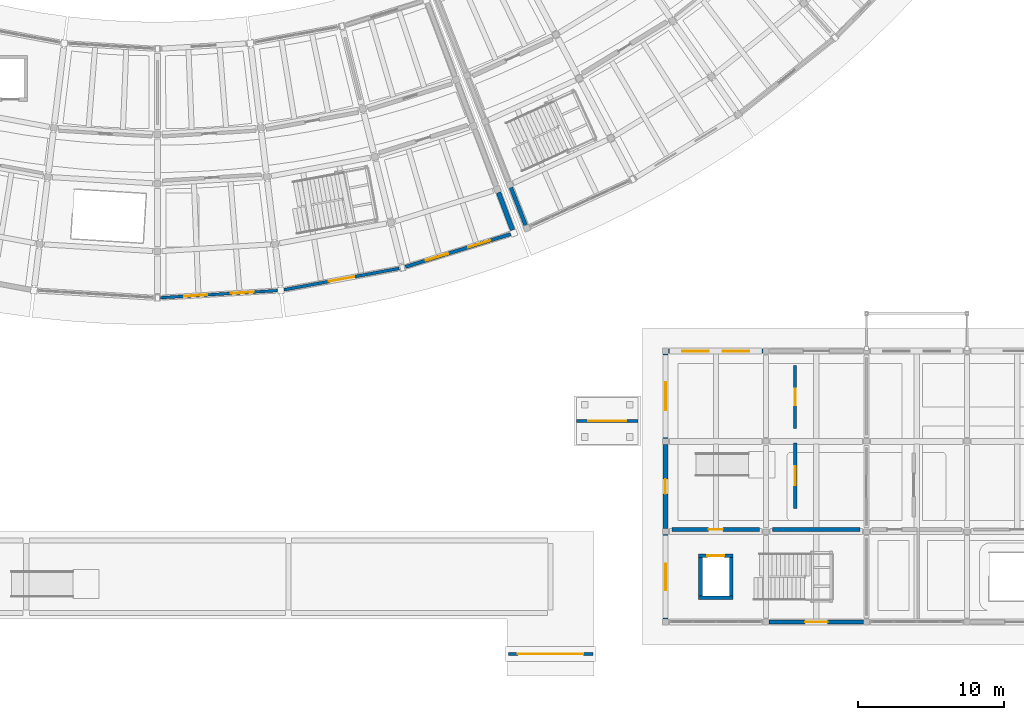
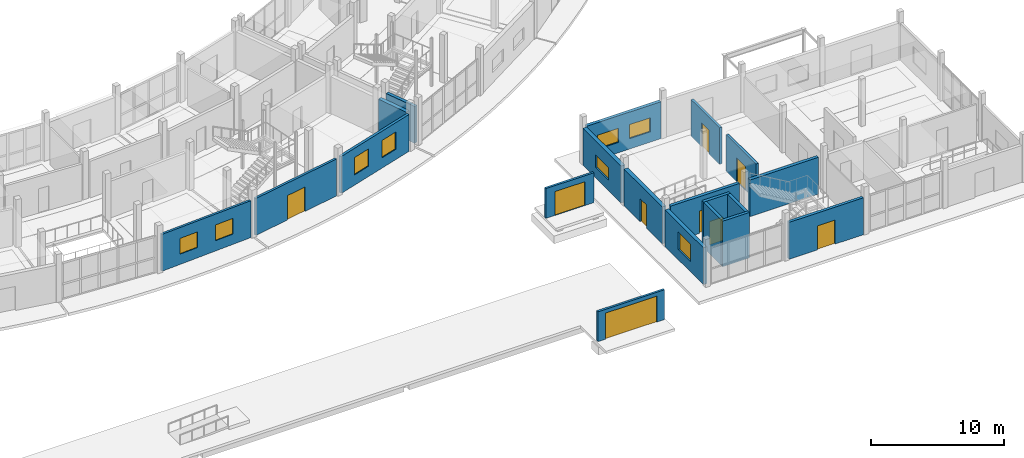
# One storey, part 68 of 92: 20 walls, 9 doors, 8 windows, 17 openings.
"""IFC4 building model written with IfcOpenShell, lengths in metres."""

import ifcopenshell
import ifcopenshell.guid

model = None  # the IFC model being written
_history = None  # IfcOwnerHistory: only IFC2X3 demands one
_inside = {}  # id of a spatial element -> (the spatial element, [elements in it])
_under = {}  # id of a project, library or spatial element -> (it, [spatial elements below it])
_declared = {}  # id of a project -> (the project, [libraries it declares])
_typed = {}  # id of a type object -> (the type object, [elements of that type])
_made_of = {}  # id of a material, layer set ... -> (it, [elements and type objects made of it])


def new_model(schema):
    """Start an empty IFC model of exactly this schema.

    Asked for "IFC4X3", IfcOpenShell would pick the latest addendum, in which some entities
    have other attributes; the version numbers below select the first issue.
    IFC2X3 requires an IfcOwnerHistory on every rooted entity: one is made here for all.
    """
    global model, _history
    if schema == "IFC4X3":
        model = ifcopenshell.file(schema_version=(4, 3, 0, 0))
    else:
        model = ifcopenshell.file(schema=schema)
    _inside.clear()
    _under.clear()
    _declared.clear()
    _typed.clear()
    _made_of.clear()
    _history = None
    if model.schema == "IFC2X3":
        org = make("IfcOrganization", Name="unknown")
        user = make(
            "IfcPersonAndOrganization",
            ThePerson=make("IfcPerson", FamilyName="unknown"),
            TheOrganization=org,
        )
        app = make(
            "IfcApplication",
            ApplicationDeveloper=org,
            Version="unknown",
            ApplicationFullName="unknown",
            ApplicationIdentifier="unknown",
        )
        _history = make(
            "IfcOwnerHistory",
            OwningUser=user,
            OwningApplication=app,
            ChangeAction="ADDED",
            CreationDate=0,
        )
    return model


def make(cls, **values):
    """One entity of the class cls with the attributes given. An attribute that is None is left unset."""
    return model.create_entity(
        cls, **{name: value for name, value in values.items() if value is not None}
    )


def rooted(cls, **values):
    """An entity with a GlobalId (a new one), such as an element, a storey or a relation."""
    return make(cls, GlobalId=ifcopenshell.guid.new(), OwnerHistory=_history, **values)


def si_unit(unit_type, name, prefix=None):
    """IfcSIUnit, for example si_unit("LENGTHUNIT", "METRE", prefix="MILLI")."""
    return make("IfcSIUnit", UnitType=unit_type, Prefix=prefix, Name=name)


def assignment(units):
    """IfcUnitAssignment: the units of a project."""
    return None if units is None else make("IfcUnitAssignment", Units=units)


def point(xyz):
    """IfcCartesianPoint."""
    return None if xyz is None else make("IfcCartesianPoint", Coordinates=xyz)


def direction(xyz):
    """IfcDirection."""
    return None if xyz is None else make("IfcDirection", DirectionRatios=xyz)


def frame(location, z_axis=None, x_axis=None):
    """IfcAxis2Placement3D, a coordinate frame: its origin and axes. An axis left out is left unset."""
    return make(
        "IfcAxis2Placement3D",
        Location=point(location),
        Axis=direction(z_axis),
        RefDirection=direction(x_axis),
    )


def frame_2d(location, x_axis=None):
    """IfcAxis2Placement2D, a coordinate frame in the plane: its origin and x axis."""
    return make(
        "IfcAxis2Placement2D", Location=point(location), RefDirection=direction(x_axis)
    )


def origin():
    """The frame at (0, 0, 0) with its axes left unset."""
    return frame((0.0, 0.0, 0.0))


def place(relative_to, where):
    """IfcLocalPlacement: puts the frame where relative to a parent placement (None: the world)."""
    return make(
        "IfcLocalPlacement", PlacementRelTo=relative_to, RelativePlacement=where
    )


def context(
    kind, dimensions, precision=None, world=None, true_north=None, identifier=None
):
    """IfcGeometricRepresentationContext, for example the 3D "Model" context."""
    return make(
        "IfcGeometricRepresentationContext",
        ContextIdentifier=identifier,
        ContextType=kind,
        CoordinateSpaceDimension=dimensions,
        Precision=precision,
        WorldCoordinateSystem=world,
        TrueNorth=true_north,
    )


def subcontext(parent, identifier, kind, view, scale=None):
    """IfcGeometricRepresentationSubContext, for example "Body" below "Model"."""
    return make(
        "IfcGeometricRepresentationSubContext",
        ContextIdentifier=identifier,
        ContextType=kind,
        ParentContext=parent,
        TargetScale=scale,
        TargetView=view,
    )


def project(units=None, contexts=None):
    """IfcProject with its units and contexts."""
    return rooted(
        "IfcProject",
        Name="project",
        RepresentationContexts=contexts,
        UnitsInContext=assignment(units),
    )


def spatial(cls, under=None, at=None, **own):
    """A site, building, storey or space (cls), placed at a placement, below another one or the project."""
    s = rooted(cls, ObjectPlacement=at, **own)
    if under is not None:
        _under.setdefault(under.id(), (under, []))[1].append(s)
    return s


def profile(cls, at=None, kind="AREA", **sizes):
    """A parametric profile (cls). Its sizes go by their IFC names, for example OverallWidth=200.0."""
    return make(cls, ProfileType=kind, Position=at, **sizes)


def rectangle(**sizes):
    """IfcRectangleProfileDef."""
    return profile("IfcRectangleProfileDef", **sizes)


def extrude(swept, where, along, depth):
    """IfcExtrudedAreaSolid: the profile swept, set in the frame where, extruded along a direction by depth."""
    return make(
        "IfcExtrudedAreaSolid",
        SweptArea=swept,
        Position=where,
        ExtrudedDirection=direction(along),
        Depth=depth,
    )


def shape(context_of_items, identifier, shape_type, items):
    """IfcShapeRepresentation: the items that make up one representation, for example the "Body"."""
    return make(
        "IfcShapeRepresentation",
        ContextOfItems=context_of_items,
        RepresentationIdentifier=identifier,
        RepresentationType=shape_type,
        Items=items,
    )


def material(Name=None, Category=None):
    """IfcMaterial."""
    return make("IfcMaterial", Name=Name, Category=Category)


def layer(
    of_material, thickness, ventilated=None, Name=None, Category=None, Priority=None
):
    """IfcMaterialLayer: one layer of a wall or slab, of a material (None: an air gap)."""
    return make(
        "IfcMaterialLayer",
        Material=of_material,
        LayerThickness=thickness,
        IsVentilated=ventilated,
        Name=Name,
        Category=Category,
        Priority=Priority,
    )


def layer_set(layers, Name=None):
    """IfcMaterialLayerSet."""
    return make("IfcMaterialLayerSet", MaterialLayers=layers, LayerSetName=Name)


def made_of(thing, what):
    """Note that an element or type object is made of a material, layer set ...; save() writes the relation."""
    if what is not None:
        _made_of.setdefault(what.id(), (what, []))[1].append(thing)
    return thing


def type_object(cls, material=None, **own):
    """A type object (cls), such as IfcWallType, which elements share."""
    return made_of(rooted(cls, **own), material)


def element(
    cls,
    number,
    at=None,
    inside=None,
    cuts=None,
    type_object=None,
    material=None,
    context=None,
    identifier="Body",
    shape_type=None,
    held_by="IfcProductDefinitionShape",
    body=None,
    shapes=None,
    **own,
):
    """One element of the class cls, such as IfcWall. Its Tag is "e" and its number.

    at: its placement. inside: the storey or other place that contains it. cuts: it is an
    opening in that element (IfcRelVoidsElement). A single representation is given by context,
    identifier, shape_type and body (its items); several are given by shapes. held_by: the class
    of the entity that holds the representations. save() writes the other relations.
    """
    e = rooted(cls, Tag="e%d" % number, ObjectPlacement=at, **own)
    if body is not None:
        shapes = [shape(context, identifier, shape_type, body)]
    if shapes is not None:
        e.Representation = make(held_by, Representations=shapes)
    if inside is not None:
        _inside.setdefault(inside.id(), (inside, []))[1].append(e)
    if cuts is not None:
        rooted(
            "IfcRelVoidsElement", RelatingBuildingElement=cuts, RelatedOpeningElement=e
        )
    if type_object is not None:
        _typed.setdefault(type_object.id(), (type_object, []))[1].append(e)
    return made_of(e, material)


def fill(opening, filler):
    """IfcRelFillsElement: the door or window that sits in an opening."""
    return rooted(
        "IfcRelFillsElement",
        RelatingOpeningElement=opening,
        RelatedBuildingElement=filler,
    )


def aggregate(whole, parts):
    """IfcRelAggregates: a whole, such as a stair, and the parts it consists of."""
    return rooted("IfcRelAggregates", RelatingObject=whole, RelatedObjects=parts)


def save(model, path):
    """Write the relations noted so far, then the file.

    IfcRelAggregates (storeys below a building ...), IfcRelContainedInSpatialStructure (elements
    in a storey), IfcRelDefinesByType, IfcRelAssociatesMaterial and IfcRelDeclares: one each for
    every whole, place, type object, material and project.
    """
    for whole, parts in _under.values():
        aggregate(whole, parts)
    for where, things in _inside.values():
        rooted(
            "IfcRelContainedInSpatialStructure",
            RelatedElements=things,
            RelatingStructure=where,
        )
    for kind, things in _typed.values():
        rooted("IfcRelDefinesByType", RelatedObjects=things, RelatingType=kind)
    for what, things in _made_of.values():
        rooted("IfcRelAssociatesMaterial", RelatedObjects=things, RelatingMaterial=what)
    for by, libraries in _declared.values():
        rooted("IfcRelDeclares", RelatingContext=by, RelatedDefinitions=libraries)
    model.write(path)


model = new_model("IFC4")

# Units and contexts
model_context = context("Model", 3, precision=1e-05, world=origin(), true_north=direction((0.0, 1.0)))
body_context = subcontext(model_context, "Body", "Model", "MODEL_VIEW")
ifc_project = project(units=[si_unit("LENGTHUNIT", "METRE"), si_unit("AREAUNIT", "SQUARE_METRE"), si_unit("VOLUMEUNIT", "CUBIC_METRE"), si_unit("PLANEANGLEUNIT", "RADIAN"), si_unit("MASSUNIT", "GRAM", prefix="KILO")], contexts=[model_context])

# Site, building, storey
site_placement = place(None, origin())
site = spatial("IfcSite", under=ifc_project, at=site_placement, CompositionType="ELEMENT")
building_placement = place(site_placement, origin())
building = spatial("IfcBuilding", under=site, at=building_placement, Name="Caldaven Crescent School", CompositionType="ELEMENT")
storey_placement = place(building_placement, origin())
storey = spatial("IfcBuildingStorey", under=building, at=storey_placement, Name="L00", CompositionType="ELEMENT", Elevation=0.0)

# Wall, opening, door
ifc_material_1 = material(Name="Concrete C35/45", Category="concrete")
ifc_layer_1 = layer(ifc_material_1, 0.300048828125)
ifc_layer_set_1 = layer_set([ifc_layer_1], Name="Concrete C35/45")
wall_type_1 = type_object("IfcWallType", Name="WAL-CW1", PredefinedType="SHEAR", material=ifc_layer_set_1)
wall_1_placement = place(storey_placement, frame((125.175048828125, 8.75, 0.0), z_axis=(0.0, 0.0, 1.0), x_axis=(1.0, 0.0, 0.0)))
wall_1 = element("IfcWall", 1, at=wall_1_placement, inside=storey, type_object=wall_type_1, Name="CW-LF3-L00-N", PredefinedType="SHEAR", context=body_context, shape_type="SweptSolid", body=[
    extrude(rectangle(XDim=2.349853515625, YDim=0.25, at=frame_2d((1.1748046875, 0.0))), origin(), (0.0, 0.0, 1.0), 4.199951171875),
])
opening_1_placement = place(wall_1_placement, frame((0.60009765625, 0.0, 0.0)))
opening_1 = element("IfcOpeningElement", 2, at=opening_1_placement, cuts=wall_1, Name="Opening LD-LF3-L00", PredefinedType="OPENING", context=body_context, shape_type="SweptSolid", body=[
    extrude(rectangle(XDim=1.14990234375, YDim=2.14990234375, at=frame_2d((0.574951171875, 1.074951171875))), frame((0.0, 0.135009765625, 0.0), z_axis=(0.0, -1.0, 0.0), x_axis=(1.0, 0.0, 0.0)), (0.0, 0.0, 1.0), 0.27001953125),
])
ifc_material_2 = material(Name="Brushed stainless-steel automatic telescopic landing door", Category="steel")
door_type_1 = type_object("IfcDoorType", Name="DOR-LD02", OperationType="DOUBLE_DOOR_SLIDING", PredefinedType="DOOR", material=ifc_material_2)
door_1_placement = place(opening_1_placement, origin())
door_1 = element("IfcDoor", 3, at=door_1_placement, inside=storey, type_object=door_type_1, Name="DOR-LD-LF3-L00", OperationType="DOUBLE_DOOR_SLIDING", OverallHeight=2.14990234375, OverallWidth=1.14990234375, PredefinedType="DOOR", context=body_context, shape_type="SweptSolid", body=[
    extrude(rectangle(XDim=1.14990234375, YDim=2.14990234375, at=frame_2d((0.574951171875, 1.074951171875))), frame((0.0, 0.02490234375, 0.0), z_axis=(0.0, -1.0, 0.0), x_axis=(1.0, 0.0, 0.0)), (0.0, 0.0, 1.0), 0.050048828125),
])
fill(opening_1, door_1)

# Walls
wall_2_placement = place(storey_placement, frame((125.175048828125, 5.85009765625, 0.0), z_axis=(0.0, 0.0, 1.0), x_axis=(1.0, 0.0, 0.0)))
element("IfcWall", 4, at=wall_2_placement, inside=storey, type_object=wall_type_1, Name="CW-LF3-L00-S", PredefinedType="SHEAR", context=body_context, shape_type="SweptSolid", body=[
    extrude(rectangle(XDim=2.349853515625, YDim=0.25, at=frame_2d((1.1748046875, 0.0))), origin(), (0.0, 0.0, 1.0), 4.199951171875),
])
ifc_layer_2 = layer(ifc_material_1, 0.25)
ifc_layer_set_2 = layer_set([ifc_layer_2], Name="Concrete C35/45")
wall_type_2 = type_object("IfcWallType", Name="WAL-CW2", PredefinedType="SHEAR", material=ifc_layer_set_2)
for number, where, z_axis, x_axis, name in (
    (5, (125.300048828125, 5.97509765625, 0.0), (0.0, 0.0, 1.0), (0.0, 1.0, 0.0), "CW-LF3-L00-W"),
    (6, (127.39990234375, 5.97509765625, 0.0), (0.0, 0.0, 1.0), (0.0, 1.0, 0.0), "CW-LF3-L00-E"),
):
    element("IfcWall", number, at=place(storey_placement, frame(where, z_axis=z_axis, x_axis=x_axis)), inside=storey, type_object=wall_type_2, Name=name, PredefinedType="SHEAR", context=body_context, shape_type="SweptSolid", body=[
        extrude(rectangle(XDim=2.64990234375, YDim=0.25, at=frame_2d((1.324951171875, 0.0))), origin(), (0.0, 0.0, 1.0), 4.199951171875),
    ])

# Wall, openings, windows
ifc_material_3 = material(Name="Precast concrete C35/45", Category="concrete")
ifc_layer_3 = layer(ifc_material_3, 0.19189453125)
ifc_layer_set_3 = layer_set([ifc_layer_3], Name="Precast concrete C35/45")
wall_type_3 = type_object("IfcWallType", Name="WAL-EW01", PredefinedType="STANDARD", material=ifc_layer_set_3)
wall_3_placement = place(storey_placement, frame((88.2275390625, 26.4638671875, 0.0), z_axis=(0.0, 0.0, 1.0), x_axis=(0.998133755509, 0.061065588622, 0.0)))
wall_3 = element("IfcWall", 7, at=wall_3_placement, inside=storey, type_object=wall_type_3, Name="EW-L00-098", PredefinedType="STANDARD", context=body_context, shape_type="SweptSolid", body=[
    extrude(rectangle(XDim=8.035888671875, YDim=0.19189453125, at=frame_2d((4.01806640625, 0.0))), origin(), (0.0, 0.0, 1.0), 3.39990234375),
])
opening_2_placement = place(wall_3_placement, frame((1.625244140625, 0.0, 0.949951171875)))
opening_2 = element("IfcOpeningElement", 8, at=opening_2_placement, cuts=wall_3, Name="Opening W19", PredefinedType="OPENING", context=body_context, shape_type="SweptSolid", body=[
    extrude(rectangle(XDim=1.580078125, YDim=1.449951171875, at=frame_2d((0.7900390625, 0.72509765625))), frame((0.0, 0.10595703125, 0.0), z_axis=(0.0, -1.0, 0.0), x_axis=(1.0, 0.0, 0.0)), (0.0, 0.0, 1.0), 0.2119140625),
])
opening_3_placement = place(wall_3_placement, frame((4.83056640625, 0.0, 0.949951171875)))
opening_3 = element("IfcOpeningElement", 9, at=opening_3_placement, cuts=wall_3, Name="Opening W19", PredefinedType="OPENING", context=body_context, shape_type="SweptSolid", body=[
    extrude(rectangle(XDim=1.580078125, YDim=1.449951171875, at=frame_2d((0.7900390625, 0.72509765625))), frame((0.0, 0.10595703125, 0.0), z_axis=(0.0, -1.0, 0.0), x_axis=(1.0, 0.0, 0.0)), (0.0, 0.0, 1.0), 0.2119140625),
])
ifc_material_4 = material(Name="Thermally broken anodised aluminium AA 6063-T6 and low-E double glazing", Category="aluminium")
window_type_1 = type_object("IfcWindowType", Name="WIN-W19", PartitioningType="SINGLE_PANEL", PredefinedType="WINDOW", material=ifc_material_4)
window_1_placement = place(opening_2_placement, origin())
window_1 = element("IfcWindow", 10, at=window_1_placement, inside=storey, type_object=window_type_1, Name="WIN-L00-066-1", OverallHeight=1.449951171875, OverallWidth=1.580078125, PartitioningType="SINGLE_PANEL", PredefinedType="WINDOW", context=body_context, shape_type="SweptSolid", body=[
    extrude(rectangle(XDim=1.580078125, YDim=1.449951171875, at=frame_2d((0.7900390625, 0.72509765625))), frame((0.0, 0.030029296875, 0.0), z_axis=(0.0, -1.0, 0.0), x_axis=(1.0, 0.0, 0.0)), (0.0, 0.0, 1.0), 0.06005859375),
])
fill(opening_2, window_1)
window_2_placement = place(opening_3_placement, origin())
window_2 = element("IfcWindow", 11, at=window_2_placement, inside=storey, type_object=window_type_1, Name="WIN-L00-066-2", OverallHeight=1.449951171875, OverallWidth=1.580078125, PartitioningType="SINGLE_PANEL", PredefinedType="WINDOW", context=body_context, shape_type="SweptSolid", body=[
    extrude(rectangle(XDim=1.580078125, YDim=1.449951171875, at=frame_2d((0.7900390625, 0.72509765625))), frame((0.0, 0.030029296875, 0.0), z_axis=(0.0, -1.0, 0.0), x_axis=(1.0, 0.0, 0.0)), (0.0, 0.0, 1.0), 0.06005859375),
])
fill(opening_3, window_2)

# Wall, opening, door
wall_4_placement = place(storey_placement, frame((112.10009765625, 2.0, 0.0), z_axis=(0.0, 0.0, 1.0), x_axis=(1.0, 0.0, 0.0)))
wall_4 = element("IfcWall", 12, at=wall_4_placement, inside=storey, type_object=wall_type_3, Name="WAL-GATE-VG2", PredefinedType="STANDARD", context=body_context, shape_type="SweptSolid", body=[
    extrude(rectangle(XDim=5.7998046875, YDim=0.19189453125, at=frame_2d((2.89990234375, 0.0))), origin(), (0.0, 0.0, 1.0), 2.75),
])
opening_4_placement = place(wall_4_placement, frame((0.64990234375, 0.0, 0.0)))
opening_4 = element("IfcOpeningElement", 13, at=opening_4_placement, cuts=wall_4, Name="Opening VG2", PredefinedType="OPENING", context=body_context, shape_type="SweptSolid", body=[
    extrude(rectangle(XDim=4.5, YDim=2.39990234375, at=frame_2d((2.25, 1.199951171875))), frame((0.0, 0.10595703125, 0.0), z_axis=(0.0, -1.0, 0.0), x_axis=(1.0, 0.0, 0.0)), (0.0, 0.0, 1.0), 0.2119140625),
])
ifc_material_5 = material(Name="Powder-coated galvanised tubular steel security gate", Category="steel")
door_type_2 = type_object("IfcDoorType", Name="DOR-GT01", OperationType="NOTDEFINED", PredefinedType="GATE", material=ifc_material_5)
door_2_placement = place(opening_4_placement, frame((4.5, 0.0, 0.0), z_axis=(0.0, 0.0, 1.0), x_axis=(-1.0, 0.0, 0.0)))
door_2 = element("IfcDoor", 14, at=door_2_placement, inside=storey, type_object=door_type_2, Name="GATE-VG2", OperationType="DOUBLE_DOOR_SINGLE_SWING", OverallHeight=2.39990234375, OverallWidth=4.5, PredefinedType="GATE", context=body_context, shape_type="SweptSolid", body=[
    extrude(rectangle(XDim=4.5, YDim=2.39990234375, at=frame_2d((2.25, 1.199951171875))), frame((0.0, 0.02490234375, 0.0), z_axis=(0.0, -1.0, 0.0), x_axis=(1.0, 0.0, 0.0)), (0.0, 0.0, 1.0), 0.050048828125),
])
fill(opening_4, door_2)

wall_5_placement = place(storey_placement, frame((116.800048828125, 18.0, 0.0), z_axis=(0.0, 0.0, 1.0), x_axis=(1.0, 0.0, 0.0)))
wall_5 = element("IfcWall", 15, at=wall_5_placement, inside=storey, type_object=wall_type_3, Name="WAL-GATE-CG4", PredefinedType="STANDARD", context=body_context, shape_type="SweptSolid", body=[
    extrude(rectangle(XDim=4.199951171875, YDim=0.19189453125, at=frame_2d((2.10009765625, 0.0))), origin(), (0.0, 0.0, 1.0), 2.75),
])
opening_5_placement = place(wall_5_placement, frame((0.800048828125, 0.0, 0.0)))
opening_5 = element("IfcOpeningElement", 16, at=opening_5_placement, cuts=wall_5, Name="Opening CG4", PredefinedType="OPENING", context=body_context, shape_type="SweptSolid", body=[
    extrude(rectangle(XDim=2.60009765625, YDim=2.199951171875, at=frame_2d((1.300048828125, 1.10009765625))), frame((0.0, 0.10595703125, 0.0), z_axis=(0.0, -1.0, 0.0), x_axis=(1.0, 0.0, 0.0)), (0.0, 0.0, 1.0), 0.2119140625),
])
door_type_3 = type_object("IfcDoorType", Name="DOR-GT03", OperationType="NOTDEFINED", PredefinedType="GATE", material=ifc_material_5)
door_3_placement = place(opening_5_placement, frame((2.60009765625, 0.0, 0.0), z_axis=(0.0, 0.0, 1.0), x_axis=(-1.0, 0.0, 0.0)))
door_3 = element("IfcDoor", 17, at=door_3_placement, inside=storey, type_object=door_type_3, Name="GATE-CG4", OperationType="DOUBLE_DOOR_SINGLE_SWING", OverallHeight=2.199951171875, OverallWidth=2.60009765625, PredefinedType="GATE", context=body_context, shape_type="SweptSolid", body=[
    extrude(rectangle(XDim=2.60009765625, YDim=2.199951171875, at=frame_2d((1.300048828125, 1.10009765625))), frame((0.0, 0.02490234375, 0.0), z_axis=(0.0, -1.0, 0.0), x_axis=(1.0, 0.0, 0.0)), (0.0, 0.0, 1.0), 0.050048828125),
])
fill(opening_5, door_3)

ifc_layer_4 = layer(ifc_material_3, 0.2041015625)
ifc_layer_set_4 = layer_set([ifc_layer_4], Name="Precast concrete C35/45")
wall_type_4 = type_object("IfcWallType", Name="WAL-EW02", PredefinedType="STANDARD", material=ifc_layer_set_4)
wall_6_placement = place(storey_placement, frame((96.7001953125, 27.010009765625, 0.0), z_axis=(0.0, 0.0, 1.0), x_axis=(0.983256610621, 0.182226336377, 0.0)))
wall_6 = element("IfcWall", 18, at=wall_6_placement, inside=storey, type_object=wall_type_4, Name="EW-L00-099", PredefinedType="STANDARD", context=body_context, shape_type="SweptSolid", body=[
    extrude(rectangle(XDim=8.035888671875, YDim=0.2041015625, at=frame_2d((4.01806640625, 0.0))), origin(), (0.0, 0.0, 1.0), 3.39990234375),
])
opening_6_placement = place(wall_6_placement, frame((3.142822265625, 0.0, 0.0)))
opening_6 = element("IfcOpeningElement", 19, at=opening_6_placement, cuts=wall_6, Name="Opening D-L00-E025", PredefinedType="OPENING", context=body_context, shape_type="SweptSolid", body=[
    extrude(rectangle(XDim=1.75, YDim=2.25, at=frame_2d((0.875, 1.125))), frame((0.0, 0.112060546875, 0.0), z_axis=(0.0, -1.0, 0.0), x_axis=(1.0, 0.0, 0.0)), (0.0, 0.0, 1.0), 0.22412109375),
])
ifc_material_6 = material(Name="Thermally broken bronze-anodised aluminium and laminated safety glass", Category="aluminium")
door_type_4 = type_object("IfcDoorType", Name="DOR-EX10", OperationType="NOTDEFINED", PredefinedType="DOOR", material=ifc_material_6)
door_4_placement = place(opening_6_placement, frame((1.75, 0.0, 0.0), z_axis=(0.0, 0.0, 1.0), x_axis=(-1.0, 0.0, 0.0)))
door_4 = element("IfcDoor", 20, at=door_4_placement, inside=storey, type_object=door_type_4, Name="DOR-EXT-L00-025", OperationType="DOUBLE_DOOR_SINGLE_SWING", OverallHeight=2.25, OverallWidth=1.75, PredefinedType="DOOR", context=body_context, shape_type="SweptSolid", body=[
    extrude(rectangle(XDim=1.75, YDim=2.25, at=frame_2d((0.875, 1.125))), frame((0.0, 0.02490234375, 0.0), z_axis=(0.0, -1.0, 0.0), x_axis=(1.0, 0.0, 0.0)), (0.0, 0.0, 1.0), 0.050048828125),
])
fill(opening_6, door_4)

# Wall, openings, windows
ifc_layer_5 = layer(ifc_material_3, 0.22802734375)
ifc_layer_set_5 = layer_set([ifc_layer_5], Name="Precast concrete C35/45")
wall_type_5 = type_object("IfcWallType", Name="WAL-EW04", PredefinedType="STANDARD", material=ifc_layer_set_5)
wall_7_placement = place(storey_placement, frame((105.04345703125, 28.583740234375, 0.0), z_axis=(0.0, 0.0, 1.0), x_axis=(0.954745732762, 0.297423243497, 0.0)))
wall_7 = element("IfcWall", 21, at=wall_7_placement, inside=storey, type_object=wall_type_5, Name="EW-L00-101", PredefinedType="STANDARD", context=body_context, shape_type="SweptSolid", body=[
    extrude(rectangle(XDim=7.5576171875, YDim=0.22802734375, at=frame_2d((3.77880859375, 0.0))), origin(), (0.0, 0.0, 1.0), 3.39990234375),
])
opening_7_placement = place(wall_7_placement, frame((1.4658203125, 0.0, 0.949951171875)))
opening_7 = element("IfcOpeningElement", 22, at=opening_7_placement, cuts=wall_7, Name="Opening W20", PredefinedType="OPENING", context=body_context, shape_type="SweptSolid", body=[
    extrude(rectangle(XDim=1.580078125, YDim=1.60009765625, at=frame_2d((0.7900390625, 0.800048828125))), frame((0.0, 0.1240234375, 0.0), z_axis=(0.0, -1.0, 0.0), x_axis=(1.0, 0.0, 0.0)), (0.0, 0.0, 1.0), 0.248046875),
])
opening_8_placement = place(wall_7_placement, frame((4.511962890625, 0.0, 0.949951171875)))
opening_8 = element("IfcOpeningElement", 23, at=opening_8_placement, cuts=wall_7, Name="Opening W20", PredefinedType="OPENING", context=body_context, shape_type="SweptSolid", body=[
    extrude(rectangle(XDim=1.580078125, YDim=1.60009765625, at=frame_2d((0.7900390625, 0.800048828125))), frame((0.0, 0.1240234375, 0.0), z_axis=(0.0, -1.0, 0.0), x_axis=(1.0, 0.0, 0.0)), (0.0, 0.0, 1.0), 0.248046875),
])
window_type_2 = type_object("IfcWindowType", Name="WIN-W20", PartitioningType="SINGLE_PANEL", PredefinedType="WINDOW", material=ifc_material_4)
window_3_placement = place(opening_7_placement, origin())
window_3 = element("IfcWindow", 24, at=window_3_placement, inside=storey, type_object=window_type_2, Name="WIN-L00-067-1", OverallHeight=1.60009765625, OverallWidth=1.580078125, PartitioningType="SINGLE_PANEL", PredefinedType="WINDOW", context=body_context, shape_type="SweptSolid", body=[
    extrude(rectangle(XDim=1.580078125, YDim=1.60009765625, at=frame_2d((0.7900390625, 0.800048828125))), frame((0.0, 0.030029296875, 0.0), z_axis=(0.0, -1.0, 0.0), x_axis=(1.0, 0.0, 0.0)), (0.0, 0.0, 1.0), 0.06005859375),
])
fill(opening_7, window_3)
window_4_placement = place(opening_8_placement, origin())
window_4 = element("IfcWindow", 25, at=window_4_placement, inside=storey, type_object=window_type_2, Name="WIN-L00-067-2", OverallHeight=1.60009765625, OverallWidth=1.580078125, PartitioningType="SINGLE_PANEL", PredefinedType="WINDOW", context=body_context, shape_type="SweptSolid", body=[
    extrude(rectangle(XDim=1.580078125, YDim=1.60009765625, at=frame_2d((0.7900390625, 0.800048828125))), frame((0.0, 0.030029296875, 0.0), z_axis=(0.0, -1.0, 0.0), x_axis=(1.0, 0.0, 0.0)), (0.0, 0.0, 1.0), 0.06005859375),
])
fill(opening_8, window_4)

# Wall, opening, door
ifc_layer_6 = layer(ifc_material_3, 0.251953125)
ifc_layer_set_6 = layer_set([ifc_layer_6], Name="Precast concrete C35/45")
wall_type_6 = type_object("IfcWallType", Name="WAL-EW06", PredefinedType="STANDARD", material=ifc_layer_set_6)
wall_8_placement = place(storey_placement, frame((130.012939453125, 4.199951171875, 0.0), z_axis=(0.0, 0.0, 1.0), x_axis=(1.0, 0.0, 0.0)))
wall_8 = element("IfcWall", 26, at=wall_8_placement, inside=storey, type_object=wall_type_6, Name="EW-L00-033", PredefinedType="STANDARD", context=body_context, shape_type="SweptSolid", body=[
    extrude(rectangle(XDim=6.47412109375, YDim=0.251953125, at=frame_2d((3.237060546875, 0.0))), origin(), (0.0, 0.0, 1.0), 3.39990234375),
])
opening_9_placement = place(wall_8_placement, frame((2.4619140625, 0.0, 0.0)))
opening_9 = element("IfcOpeningElement", 27, at=opening_9_placement, cuts=wall_8, Name="Opening D-L00-E009", PredefinedType="OPENING", context=body_context, shape_type="SweptSolid", body=[
    extrude(rectangle(XDim=1.550048828125, YDim=2.219970703125, at=frame_2d((0.77490234375, 1.10986328125))), frame((0.0, 0.135986328125, 0.0), z_axis=(0.0, -1.0, 0.0), x_axis=(1.0, 0.0, 0.0)), (0.0, 0.0, 1.0), 0.27197265625),
])
door_type_5 = type_object("IfcDoorType", Name="DOR-EX08", OperationType="NOTDEFINED", PredefinedType="DOOR", material=ifc_material_6)
door_5_placement = place(opening_9_placement, frame((1.550048828125, 0.0, 0.0), z_axis=(0.0, 0.0, 1.0), x_axis=(-1.0, 0.0, 0.0)))
door_5 = element("IfcDoor", 28, at=door_5_placement, inside=storey, type_object=door_type_5, Name="DOR-EXT-L00-009", OperationType="DOUBLE_DOOR_SINGLE_SWING", OverallHeight=2.219970703125, OverallWidth=1.550048828125, PredefinedType="DOOR", context=body_context, shape_type="SweptSolid", body=[
    extrude(rectangle(XDim=1.550048828125, YDim=2.219970703125, at=frame_2d((0.77490234375, 1.10986328125))), frame((0.0, 0.02490234375, 0.0), z_axis=(0.0, -1.0, 0.0), x_axis=(1.0, 0.0, 0.0)), (0.0, 0.0, 1.0), 0.050048828125),
])
fill(opening_9, door_5)

# Wall
ifc_layer_7 = layer(ifc_material_3, 0.263916015625)
ifc_layer_set_7 = layer_set([ifc_layer_7], Name="Precast concrete C35/45")
wall_type_7 = type_object("IfcWallType", Name="WAL-EW07", PredefinedType="STANDARD", material=ifc_layer_set_7)
wall_9_placement = place(storey_placement, frame((112.28125, 34.023681640625, 0.0), z_axis=(0.0, 0.0, 1.0), x_axis=(0.364810806379, -0.931081669645, 0.0)))
element("IfcWall", 29, at=wall_9_placement, inside=storey, type_object=wall_type_7, Name="EW-L00-118", PredefinedType="STANDARD", context=body_context, shape_type="SweptSolid", body=[
    extrude(rectangle(XDim=2.77392578125, YDim=0.263916015625, at=frame_2d((1.386962890625, 0.0))), origin(), (0.0, 0.0, 1.0), 3.39990234375),
])

# Wall, openings, windows
ifc_layer_8 = layer(ifc_material_3, 0.27587890625)
ifc_layer_set_8 = layer_set([ifc_layer_8], Name="Precast concrete C35/45")
wall_type_8 = type_object("IfcWallType", Name="WAL-EW08", PredefinedType="STANDARD", material=ifc_layer_set_8)
wall_10_placement = place(storey_placement, frame((123.113037109375, 22.800048828125, 0.0), z_axis=(0.0, 0.0, 1.0), x_axis=(1.0, 0.0, 0.0)))
wall_10 = element("IfcWall", 30, at=wall_10_placement, inside=storey, type_object=wall_type_8, Name="EW-L00-035", PredefinedType="STANDARD", context=body_context, shape_type="SweptSolid", body=[
    extrude(rectangle(XDim=6.473876953125, YDim=0.27587890625, at=frame_2d((3.23681640625, 0.0))), origin(), (0.0, 0.0, 1.0), 3.39990234375),
])
opening_10_placement = place(wall_10_placement, frame((0.944580078125, 0.0, 0.949951171875)))
opening_10 = element("IfcOpeningElement", 31, at=opening_10_placement, cuts=wall_10, Name="Opening W26", PredefinedType="OPENING", context=body_context, shape_type="SweptSolid", body=[
    extrude(rectangle(XDim=1.820068359375, YDim=1.300048828125, at=frame_2d((0.91015625, 0.64990234375))), frame((0.0, 0.14794921875, 0.0), z_axis=(0.0, -1.0, 0.0), x_axis=(1.0, 0.0, 0.0)), (0.0, 0.0, 1.0), 0.2958984375),
])
opening_11_placement = place(wall_10_placement, frame((3.709228515625, 0.0, 0.949951171875)))
opening_11 = element("IfcOpeningElement", 32, at=opening_11_placement, cuts=wall_10, Name="Opening W26", PredefinedType="OPENING", context=body_context, shape_type="SweptSolid", body=[
    extrude(rectangle(XDim=1.820068359375, YDim=1.300048828125, at=frame_2d((0.91015625, 0.64990234375))), frame((0.0, 0.14794921875, 0.0), z_axis=(0.0, -1.0, 0.0), x_axis=(1.0, 0.0, 0.0)), (0.0, 0.0, 1.0), 0.2958984375),
])
window_type_3 = type_object("IfcWindowType", Name="WIN-W26", PartitioningType="SINGLE_PANEL", PredefinedType="WINDOW", material=ifc_material_4)
window_5_placement = place(opening_10_placement, origin())
window_5 = element("IfcWindow", 33, at=window_5_placement, inside=storey, type_object=window_type_3, Name="WIN-L00-025-1", OverallHeight=1.300048828125, OverallWidth=1.820068359375, PartitioningType="SINGLE_PANEL", PredefinedType="WINDOW", context=body_context, shape_type="SweptSolid", body=[
    extrude(rectangle(XDim=1.820068359375, YDim=1.300048828125, at=frame_2d((0.91015625, 0.64990234375))), frame((0.0, 0.030029296875, 0.0), z_axis=(0.0, -1.0, 0.0), x_axis=(1.0, 0.0, 0.0)), (0.0, 0.0, 1.0), 0.06005859375),
])
fill(opening_10, window_5)
window_6_placement = place(opening_11_placement, origin())
window_6 = element("IfcWindow", 34, at=window_6_placement, inside=storey, type_object=window_type_3, Name="WIN-L00-025-2", OverallHeight=1.300048828125, OverallWidth=1.820068359375, PartitioningType="SINGLE_PANEL", PredefinedType="WINDOW", context=body_context, shape_type="SweptSolid", body=[
    extrude(rectangle(XDim=1.820068359375, YDim=1.300048828125, at=frame_2d((0.91015625, 0.64990234375))), frame((0.0, 0.030029296875, 0.0), z_axis=(0.0, -1.0, 0.0), x_axis=(1.0, 0.0, 0.0)), (0.0, 0.0, 1.0), 0.06005859375),
])
fill(opening_11, window_6)

# Wall, opening, window
ifc_layer_9 = layer(ifc_material_3, 0.323974609375)
ifc_layer_set_9 = layer_set([ifc_layer_9], Name="Precast concrete C35/45")
wall_type_9 = type_object("IfcWallType", Name="WAL-EW12", PredefinedType="STANDARD", material=ifc_layer_set_9)
wall_11_placement = place(storey_placement, frame((122.89990234375, 4.4130859375, 0.0), z_axis=(0.0, 0.0, 1.0), x_axis=(0.0, 1.0, 0.0)))
wall_11 = element("IfcWall", 35, at=wall_11_placement, inside=storey, type_object=wall_type_9, Name="EW-L00-039", PredefinedType="STANDARD", context=body_context, shape_type="SweptSolid", body=[
    extrude(rectangle(XDim=5.77392578125, YDim=0.323974609375, at=frame_2d((2.886962890625, 0.0))), origin(), (0.0, 0.0, 1.0), 3.39990234375),
])
opening_12_placement = place(wall_11_placement, frame((1.97705078125, 0.0, 0.949951171875)))
opening_12 = element("IfcOpeningElement", 36, at=opening_12_placement, cuts=wall_11, Name="Opening W28", PredefinedType="OPENING", context=body_context, shape_type="SweptSolid", body=[
    extrude(rectangle(XDim=1.820068359375, YDim=1.60009765625, at=frame_2d((0.91015625, 0.800048828125))), frame((0.0, 0.171875, 0.0), z_axis=(0.0, -1.0, 0.0), x_axis=(1.0, 0.0, 0.0)), (0.0, 0.0, 1.0), 0.343994140625),
])
window_type_4 = type_object("IfcWindowType", Name="WIN-W28", PartitioningType="SINGLE_PANEL", PredefinedType="WINDOW", material=ifc_material_4)
window_7_placement = place(opening_12_placement, origin())
window_7 = element("IfcWindow", 37, at=window_7_placement, inside=storey, type_object=window_type_4, Name="WIN-L00-027-1", OverallHeight=1.60009765625, OverallWidth=1.820068359375, PartitioningType="SINGLE_PANEL", PredefinedType="WINDOW", context=body_context, shape_type="SweptSolid", body=[
    extrude(rectangle(XDim=1.820068359375, YDim=1.60009765625, at=frame_2d((0.91015625, 0.800048828125))), frame((0.0, 0.030029296875, 0.0), z_axis=(0.0, -1.0, 0.0), x_axis=(1.0, 0.0, 0.0)), (0.0, 0.0, 1.0), 0.06005859375),
])
fill(opening_12, window_7)

# Wall
wall_12_placement = place(storey_placement, frame((111.430908203125, 33.681396484375, 0.0), z_axis=(0.0, 0.0, 1.0), x_axis=(0.351874084435, -0.936047343195, 0.0)))
element("IfcWall", 38, at=wall_12_placement, inside=storey, type_object=wall_type_9, Name="EW-L00-109", PredefinedType="STANDARD", context=body_context, shape_type="SweptSolid", body=[
    extrude(rectangle(XDim=2.744140625, YDim=0.323974609375, at=frame_2d((1.3720703125, 0.0))), origin(), (0.0, 0.0, 1.0), 3.39990234375),
])

# Wall, opening, door
ifc_layer_10 = layer(ifc_material_3, 0.3359375)
ifc_layer_set_10 = layer_set([ifc_layer_10], Name="Precast concrete C35/45")
wall_type_10 = type_object("IfcWallType", Name="WAL-EW13", PredefinedType="STANDARD", material=ifc_layer_set_10)
wall_13_placement = place(storey_placement, frame((122.89990234375, 10.613037109375, 0.0), z_axis=(0.0, 0.0, 1.0), x_axis=(0.0, 1.0, 0.0)))
wall_13 = element("IfcWall", 39, at=wall_13_placement, inside=storey, type_object=wall_type_10, Name="EW-L00-040", PredefinedType="STANDARD", context=body_context, shape_type="SweptSolid", body=[
    extrude(rectangle(XDim=5.77392578125, YDim=0.3359375, at=frame_2d((2.886962890625, 0.0))), origin(), (0.0, 0.0, 1.0), 3.39990234375),
])
opening_13_placement = place(wall_13_placement, frame((2.386962890625, 0.0, 0.0)))
opening_13 = element("IfcOpeningElement", 40, at=opening_13_placement, cuts=wall_13, Name="Opening D-L00-E013", PredefinedType="OPENING", context=body_context, shape_type="SweptSolid", body=[
    extrude(rectangle(XDim=1.0, YDim=2.14990234375, at=frame_2d((0.5, 1.074951171875))), frame((0.0, 0.177978515625, 0.0), z_axis=(0.0, -1.0, 0.0), x_axis=(1.0, 0.0, 0.0)), (0.0, 0.0, 1.0), 0.35595703125),
])
door_type_6 = type_object("IfcDoorType", Name="DOR-EX02", OperationType="NOTDEFINED", PredefinedType="DOOR", material=ifc_material_6)
door_6_placement = place(opening_13_placement, origin())
door_6 = element("IfcDoor", 41, at=door_6_placement, inside=storey, type_object=door_type_6, Name="DOR-EXT-L00-013", OperationType="SINGLE_SWING_RIGHT", OverallHeight=2.14990234375, OverallWidth=1.0, PredefinedType="DOOR", context=body_context, shape_type="SweptSolid", body=[
    extrude(rectangle(XDim=1.0, YDim=2.14990234375, at=frame_2d((0.5, 1.074951171875))), frame((0.0, 0.02490234375, 0.0), z_axis=(0.0, -1.0, 0.0), x_axis=(1.0, 0.0, 0.0)), (0.0, 0.0, 1.0), 0.050048828125),
])
fill(opening_13, door_6)

# Wall, opening, window
ifc_layer_11 = layer(ifc_material_3, 0.347900390625)
ifc_layer_set_11 = layer_set([ifc_layer_11], Name="Precast concrete C35/45")
wall_type_11 = type_object("IfcWallType", Name="WAL-EW14", PredefinedType="STANDARD", material=ifc_layer_set_11)
wall_14_placement = place(storey_placement, frame((122.89990234375, 16.81298828125, 0.0), z_axis=(0.0, 0.0, 1.0), x_axis=(0.0, 1.0, 0.0)))
wall_14 = element("IfcWall", 42, at=wall_14_placement, inside=storey, type_object=wall_type_11, Name="EW-L00-041", PredefinedType="STANDARD", context=body_context, shape_type="SweptSolid", body=[
    extrude(rectangle(XDim=5.77392578125, YDim=0.347900390625, at=frame_2d((2.886962890625, 0.0))), origin(), (0.0, 0.0, 1.0), 3.39990234375),
])
opening_14_placement = place(wall_14_placement, frame((1.9169921875, 0.0, 0.949951171875)))
opening_14 = element("IfcOpeningElement", 43, at=opening_14_placement, cuts=wall_14, Name="Opening W29", PredefinedType="OPENING", context=body_context, shape_type="SweptSolid", body=[
    extrude(rectangle(XDim=1.93994140625, YDim=1.14990234375, at=frame_2d((0.969970703125, 0.574951171875))), frame((0.0, 0.183837890625, 0.0), z_axis=(0.0, -1.0, 0.0), x_axis=(1.0, 0.0, 0.0)), (0.0, 0.0, 1.0), 0.367919921875),
])
window_type_5 = type_object("IfcWindowType", Name="WIN-W29", PartitioningType="SINGLE_PANEL", PredefinedType="WINDOW", material=ifc_material_4)
window_8_placement = place(opening_14_placement, origin())
window_8 = element("IfcWindow", 44, at=window_8_placement, inside=storey, type_object=window_type_5, Name="WIN-L00-028-1", OverallHeight=1.14990234375, OverallWidth=1.93994140625, PartitioningType="SINGLE_PANEL", PredefinedType="WINDOW", context=body_context, shape_type="SweptSolid", body=[
    extrude(rectangle(XDim=1.93994140625, YDim=1.14990234375, at=frame_2d((0.969970703125, 0.574951171875))), frame((0.0, 0.030029296875, 0.0), z_axis=(0.0, -1.0, 0.0), x_axis=(1.0, 0.0, 0.0)), (0.0, 0.0, 1.0), 0.06005859375),
])
fill(opening_14, window_8)

# Wall, opening, door
ifc_material_7 = material(Name="Acoustic timber-stud and fire-rated gypsum board assembly", Category="wood")
ifc_layer_12 = layer(ifc_material_7, 0.199951171875)
ifc_layer_set_12 = layer_set([ifc_layer_12], Name="Acoustic timber-stud and fire-rated gypsum board assembly")
wall_type_12 = type_object("IfcWallType", Name="WAL-IW05", PredefinedType="STANDARD", material=ifc_layer_set_12)
wall_15_placement = place(storey_placement, frame((131.800048828125, 17.5, 0.0), z_axis=(0.0, 0.0, 1.0), x_axis=(0.0, 1.0, 0.0)))
wall_15 = element("IfcWall", 45, at=wall_15_placement, inside=storey, type_object=wall_type_12, Name="IW-FD-05", PredefinedType="STANDARD", context=body_context, shape_type="SweptSolid", body=[
    extrude(rectangle(XDim=4.300048828125, YDim=0.199951171875, at=frame_2d((2.14990234375, 0.0))), origin(), (0.0, 0.0, 1.0), 3.3798828125),
])
opening_15_placement = place(wall_15_placement, frame((1.580078125, 0.0, 0.0)))
opening_15 = element("IfcOpeningElement", 46, at=opening_15_placement, cuts=wall_15, Name="Opening FD-X05", PredefinedType="OPENING", context=body_context, shape_type="SweptSolid", body=[
    extrude(rectangle(XDim=1.139892578125, YDim=2.179931640625, at=frame_2d((0.56982421875, 1.08984375))), frame((0.0, 0.10986328125, 0.0), z_axis=(0.0, -1.0, 0.0), x_axis=(1.0, 0.0, 0.0)), (0.0, 0.0, 1.0), 0.219970703125),
])
ifc_material_8 = material(Name="Acoustic fire-rated steel-framed hardwood leaf", Category="steel")
door_type_7 = type_object("IfcDoorType", Name="DOR-FD05", OperationType="NOTDEFINED", PredefinedType="DOOR", material=ifc_material_8)
door_7_placement = place(opening_15_placement, origin())
door_7 = element("IfcDoor", 47, at=door_7_placement, inside=storey, type_object=door_type_7, Name="DOR-FD-EXTRA-05", OperationType="DOUBLE_DOOR_SINGLE_SWING", OverallHeight=2.179931640625, OverallWidth=1.139892578125, PredefinedType="DOOR", context=body_context, shape_type="SweptSolid", body=[
    extrude(rectangle(XDim=1.139892578125, YDim=2.179931640625, at=frame_2d((0.56982421875, 1.08984375))), frame((0.0, 0.02490234375, 0.0), z_axis=(0.0, -1.0, 0.0), x_axis=(1.0, 0.0, 0.0)), (0.0, 0.0, 1.0), 0.050048828125),
])
fill(opening_15, door_7)

ifc_layer_13 = layer(ifc_material_7, 0.219970703125)
ifc_layer_set_13 = layer_set([ifc_layer_13], Name="Acoustic timber-stud and fire-rated gypsum board assembly")
wall_type_13 = type_object("IfcWallType", Name="WAL-IW07", PredefinedType="STANDARD", material=ifc_layer_set_13)
wall_16_placement = place(storey_placement, frame((131.800048828125, 12.0, 0.0), z_axis=(0.0, 0.0, 1.0), x_axis=(0.0, 1.0, 0.0)))
wall_16 = element("IfcWall", 48, at=wall_16_placement, inside=storey, type_object=wall_type_13, Name="IW-FD-07", PredefinedType="STANDARD", context=body_context, shape_type="SweptSolid", body=[
    extrude(rectangle(XDim=4.5, YDim=0.219970703125, at=frame_2d((2.25, 0.0))), origin(), (0.0, 0.0, 1.0), 3.3798828125),
])
opening_16_placement = place(wall_16_placement, frame((1.60009765625, 0.0, 0.0)))
opening_16 = element("IfcOpeningElement", 49, at=opening_16_placement, cuts=wall_16, Name="Opening FD-X07", PredefinedType="OPENING", context=body_context, shape_type="SweptSolid", body=[
    extrude(rectangle(XDim=1.300048828125, YDim=2.199951171875, at=frame_2d((0.64990234375, 1.10009765625))), frame((0.0, 0.119873046875, 0.0), z_axis=(0.0, -1.0, 0.0), x_axis=(1.0, 0.0, 0.0)), (0.0, 0.0, 1.0), 0.239990234375),
])
door_type_8 = type_object("IfcDoorType", Name="DOR-FD07", OperationType="NOTDEFINED", PredefinedType="DOOR", material=ifc_material_8)
door_8_placement = place(opening_16_placement, origin())
door_8 = element("IfcDoor", 50, at=door_8_placement, inside=storey, type_object=door_type_8, Name="DOR-FD-EXTRA-07", OperationType="DOUBLE_DOOR_SINGLE_SWING", OverallHeight=2.199951171875, OverallWidth=1.300048828125, PredefinedType="DOOR", context=body_context, shape_type="SweptSolid", body=[
    extrude(rectangle(XDim=1.300048828125, YDim=2.199951171875, at=frame_2d((0.64990234375, 1.10009765625))), frame((0.0, 0.02490234375, 0.0), z_axis=(0.0, -1.0, 0.0), x_axis=(1.0, 0.0, 0.0)), (0.0, 0.0, 1.0), 0.050048828125),
])
fill(opening_16, door_8)

ifc_material_9 = material(Name="Autoclaved aerated concrete block masonry G5", Category="masonry")
ifc_layer_14 = layer(ifc_material_9, 0.27001953125)
ifc_layer_set_14 = layer_set([ifc_layer_14], Name="Autoclaved aerated concrete block masonry G5")
wall_type_14 = type_object("IfcWallType", Name="WAL-IW12", PredefinedType="STANDARD", material=ifc_layer_set_14)
wall_17_placement = place(storey_placement, frame((123.35009765625, 10.550048828125, 0.0), z_axis=(0.0, 0.0, 1.0), x_axis=(1.0, 0.0, 0.0)))
wall_17 = element("IfcWall", 51, at=wall_17_placement, inside=storey, type_object=wall_type_14, Name="IW-L00-0075", PredefinedType="STANDARD", context=body_context, shape_type="SweptSolid", body=[
    extrude(rectangle(XDim=6.0, YDim=0.27001953125, at=frame_2d((3.0, 0.0))), origin(), (0.0, 0.0, 1.0), 3.3798828125),
])
opening_17_placement = place(wall_17_placement, frame((2.510009765625, 0.0, 0.0)))
opening_17 = element("IfcOpeningElement", 52, at=opening_17_placement, cuts=wall_17, Name="Opening D-L00-I052", PredefinedType="OPENING", context=body_context, shape_type="SweptSolid", body=[
    extrude(rectangle(XDim=0.97998046875, YDim=2.06005859375, at=frame_2d((0.489990234375, 1.030029296875))), frame((0.0, 0.14501953125, 0.0), z_axis=(0.0, -1.0, 0.0), x_axis=(1.0, 0.0, 0.0)), (0.0, 0.0, 1.0), 0.2900390625),
])
ifc_material_10 = material(Name="Solid-core Pino Radiata acoustic timber leaf in steel frame", Category="steel")
door_type_9 = type_object("IfcDoorType", Name="DOR-ID13", OperationType="NOTDEFINED", PredefinedType="DOOR", material=ifc_material_10)
door_9_placement = place(opening_17_placement, origin())
door_9 = element("IfcDoor", 53, at=door_9_placement, inside=storey, type_object=door_type_9, Name="DOR-INT-L00-0052", OperationType="SINGLE_SWING_LEFT", OverallHeight=2.06005859375, OverallWidth=0.97998046875, PredefinedType="DOOR", context=body_context, shape_type="SweptSolid", body=[
    extrude(rectangle(XDim=0.97998046875, YDim=2.06005859375, at=frame_2d((0.489990234375, 1.030029296875))), frame((0.0, 0.02490234375, 0.0), z_axis=(0.0, -1.0, 0.0), x_axis=(1.0, 0.0, 0.0)), (0.0, 0.0, 1.0), 0.050048828125),
])
fill(opening_17, door_9)

# Wall
ifc_layer_15 = layer(ifc_material_9, 0.280029296875)
ifc_layer_set_15 = layer_set([ifc_layer_15], Name="Autoclaved aerated concrete block masonry G5")
wall_type_15 = type_object("IfcWallType", Name="WAL-IW13", PredefinedType="STANDARD", material=ifc_layer_set_15)
wall_18_placement = place(storey_placement, frame((130.25, 10.550048828125, 0.0), z_axis=(0.0, 0.0, 1.0), x_axis=(1.0, 0.0, 0.0)))
element("IfcWall", 54, at=wall_18_placement, inside=storey, type_object=wall_type_15, Name="IW-L00-0076", PredefinedType="STANDARD", context=body_context, shape_type="SweptSolid", body=[
    extrude(rectangle(XDim=6.0, YDim=0.280029296875, at=frame_2d((3.0, 0.0))), origin(), (0.0, 0.0, 1.0), 3.3798828125),
])

save(model, "model.ifc")
